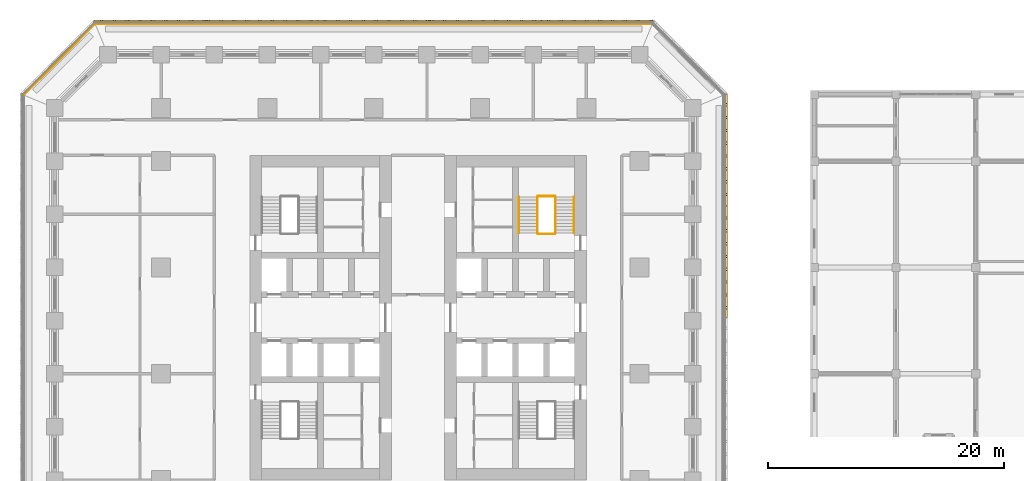
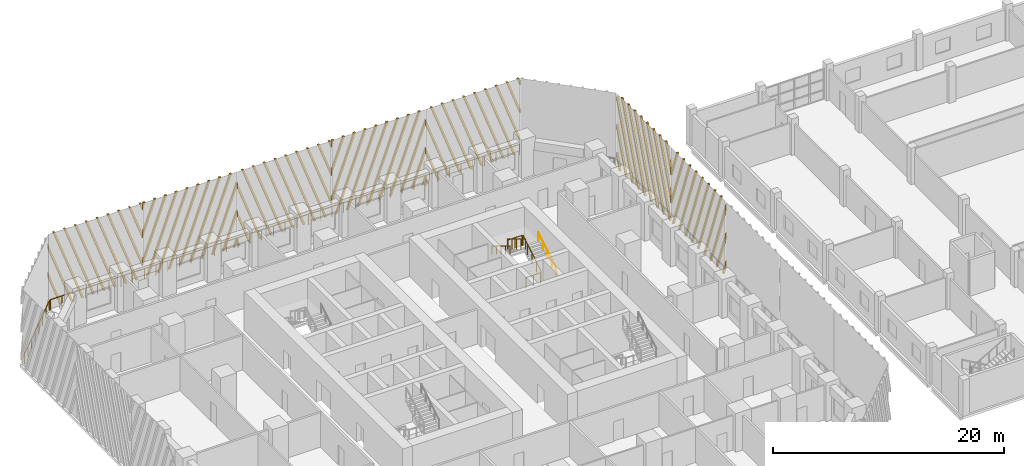
# One storey, part 24 of 31: 8 railings, 7 shading devices.
"""IFC4 building model written with IfcOpenShell, lengths in metres."""

from ifc_helpers import new_model, si_unit, direction, frame, origin, origin_2d, place, context, subcontext, project, spatial, polyline, circle, outline, extrude, source, transform, mapped, material, type_object, element, save


model = new_model("IFC4")

# Units and contexts
model_context = context("Model", 3, precision=1e-05, world=origin(), true_north=direction((0.0, 1.0)))
body_context = subcontext(model_context, "Body", "Model", "MODEL_VIEW")
ifc_project = project(units=[si_unit("LENGTHUNIT", "METRE"), si_unit("AREAUNIT", "SQUARE_METRE"), si_unit("VOLUMEUNIT", "CUBIC_METRE"), si_unit("PLANEANGLEUNIT", "RADIAN"), si_unit("MASSUNIT", "GRAM", prefix="KILO")], contexts=[model_context])

# Site, building, storey
site_placement = place(None, origin())
site = spatial("IfcSite", under=ifc_project, at=site_placement, CompositionType="ELEMENT")
building_placement = place(site_placement, origin())
building = spatial("IfcBuilding", under=site, at=building_placement, Name="Corbel Stack Research Tower", CompositionType="ELEMENT")
storey_placement = place(building_placement, frame((0.0, 0.0, 15.39990234375)))
storey = spatial("IfcBuildingStorey", under=building, at=storey_placement, Name="L03", CompositionType="ELEMENT", Elevation=15.39990234375)

# Railings
ifc_material_1 = material(Name="Steel S355", Category="steel")
railing_type_1 = type_object("IfcRailingType", Name="Stair guard 1100", PredefinedType="GUARDRAIL", material=ifc_material_1)
railing_1_placement = place(storey_placement, frame((15.39990234375, 11.89990234375, 0.1708984375)))
element("IfcRailing", 1, at=railing_1_placement, inside=storey, type_object=railing_type_1, Name="L03 ST-E2 stair guard 1", PredefinedType="GUARDRAIL", context=body_context, shape_type="SweptSolid", body=[
    extrude(circle(Radius=0.02392578125, at=origin_2d()), frame((0.0, 0.0, 1.076171875), z_axis=(0.0, 0.853666305674, 0.52082035152), x_axis=(-1.0, 0.0, 0.0)), (0.0, 0.0, 1.0), 3.608154296875),
    extrude(circle(Radius=0.02099609375, at=origin_2d()), origin(), (0.0, 0.0, 1.0), 1.052001953125),
    extrude(circle(Radius=0.02099609375, at=origin_2d()), frame((0.0, 0.77001953125, 0.4697265625)), (0.0, 0.0, 1.0), 1.052001953125),
    extrude(circle(Radius=0.02099609375, at=origin_2d()), frame((0.0, 1.5400390625, 0.939453125)), (0.0, 0.0, 1.0), 1.052001953125),
    extrude(circle(Radius=0.02099609375, at=origin_2d()), frame((0.0, 2.31005859375, 1.409423828125)), (0.0, 0.0, 1.0), 1.052001953125),
    extrude(circle(Radius=0.02099609375, at=origin_2d()), frame((0.0, 3.080078125, 1.879150390625)), (0.0, 0.0, 1.0), 1.052001953125),
])
railing_2_placement = place(storey_placement, frame((15.35009765625, 15.030029296875, 2.050048828125)))
element("IfcRailing", 2, at=railing_2_placement, inside=storey, type_object=railing_type_1, Name="L03 ST-E2 stair guard 2", PredefinedType="GUARDRAIL", context=body_context, shape_type="SweptSolid", body=[
    extrude(circle(Radius=0.02392578125, at=origin_2d()), frame((0.0, 0.0, 1.076171875), z_axis=(-1.0, 0.0, 0.0), x_axis=(0.0, -1.0, 0.0)), (0.0, 0.0, 1.0), 1.4501953125),
    extrude(circle(Radius=0.02099609375, at=origin_2d()), origin(), (0.0, 0.0, 1.0), 1.052001953125),
    extrude(circle(Radius=0.02099609375, at=origin_2d()), frame((-0.72509765625, 0.0, 0.0)), (0.0, 0.0, 1.0), 1.052001953125),
    extrude(circle(Radius=0.02099609375, at=origin_2d()), frame((-1.4501953125, 0.0, 0.0)), (0.0, 0.0, 1.0), 1.052001953125),
])
railing_3_placement = place(storey_placement, frame((13.85009765625, 14.97998046875, 2.220947265625)))
element("IfcRailing", 3, at=railing_3_placement, inside=storey, type_object=railing_type_1, Name="L03 ST-E2 stair guard 3", PredefinedType="GUARDRAIL", context=body_context, shape_type="SweptSolid", body=[
    extrude(circle(Radius=0.02392578125, at=origin_2d()), frame((0.0, 0.0, 1.076171875), z_axis=(0.0, -0.853666305674, 0.52082035152), x_axis=(1.0, 0.0, 0.0)), (0.0, 0.0, 1.0), 3.608154296875),
    extrude(circle(Radius=0.02099609375, at=origin_2d()), origin(), (0.0, 0.0, 1.0), 1.052001953125),
    extrude(circle(Radius=0.02099609375, at=origin_2d()), frame((0.0, -0.77001953125, 0.4697265625)), (0.0, 0.0, 1.0), 1.052001953125),
    extrude(circle(Radius=0.02099609375, at=origin_2d()), frame((0.0, -1.5400390625, 0.939453125)), (0.0, 0.0, 1.0), 1.052001953125),
    extrude(circle(Radius=0.02099609375, at=origin_2d()), frame((0.0, -2.31005859375, 1.409423828125)), (0.0, 0.0, 1.0), 1.052001953125),
    extrude(circle(Radius=0.02099609375, at=origin_2d()), frame((0.0, -3.080078125, 1.879150390625)), (0.0, 0.0, 1.0), 1.052001953125),
])
railing_4_placement = place(storey_placement, frame((15.35009765625, 11.85009765625, 0.0)))
element("IfcRailing", 4, at=railing_4_placement, inside=storey, type_object=railing_type_1, Name="L03 ST-E2 stair guard 4", PredefinedType="GUARDRAIL", context=body_context, shape_type="SweptSolid", body=[
    extrude(circle(Radius=0.02392578125, at=origin_2d()), frame((0.0, 0.0, 1.076171875), z_axis=(-1.0, 0.0, 0.0), x_axis=(0.0, -1.0, 0.0)), (0.0, 0.0, 1.0), 1.4501953125),
    extrude(circle(Radius=0.02099609375, at=origin_2d()), origin(), (0.0, 0.0, 1.0), 1.052001953125),
    extrude(circle(Radius=0.02099609375, at=origin_2d()), frame((-0.72509765625, 0.0, 0.0)), (0.0, 0.0, 1.0), 1.052001953125),
    extrude(circle(Radius=0.02099609375, at=origin_2d()), frame((-1.4501953125, 0.0, 0.0)), (0.0, 0.0, 1.0), 1.052001953125),
])
ifc_material_2 = material(Name="Steel S355", Category="steel")
railing_type_2 = type_object("IfcRailingType", Name="Stair handrail 900", PredefinedType="HANDRAIL", material=ifc_material_2)
railing_5_placement = place(storey_placement, frame((16.949951171875, 11.89990234375, 0.1708984375)))
element("IfcRailing", 5, at=railing_5_placement, inside=storey, type_object=railing_type_2, Name="L03 ST-E2 stair handrail 1", PredefinedType="HANDRAIL", context=body_context, shape_type="SweptSolid", body=[
    extrude(circle(Radius=0.02392578125, at=origin_2d()), frame((0.0, 0.0, 0.8759765625), z_axis=(0.0, 0.853666305674, 0.52082035152), x_axis=(-1.0, 0.0, 0.0)), (0.0, 0.0, 1.0), 3.608154296875),
    extrude(circle(Radius=0.02099609375, at=origin_2d()), origin(), (0.0, 0.0, 1.0), 0.851806640625),
    extrude(circle(Radius=0.02099609375, at=origin_2d()), frame((0.0, 0.77001953125, 0.4697265625)), (0.0, 0.0, 1.0), 0.851806640625),
    extrude(circle(Radius=0.02099609375, at=origin_2d()), frame((0.0, 1.5400390625, 0.939453125)), (0.0, 0.0, 1.0), 0.851806640625),
    extrude(circle(Radius=0.02099609375, at=origin_2d()), frame((0.0, 2.31005859375, 1.409423828125)), (0.0, 0.0, 1.0), 0.851806640625),
    extrude(circle(Radius=0.02099609375, at=origin_2d()), frame((0.0, 3.080078125, 1.879150390625)), (0.0, 0.0, 1.0), 0.851806640625),
])
railing_6_placement = place(storey_placement, frame((12.300048828125, 14.97998046875, 2.220947265625)))
element("IfcRailing", 6, at=railing_6_placement, inside=storey, type_object=railing_type_2, Name="L03 ST-E2 stair handrail 2", PredefinedType="HANDRAIL", context=body_context, shape_type="SweptSolid", body=[
    extrude(circle(Radius=0.02392578125, at=origin_2d()), frame((0.0, 0.0, 0.8759765625), z_axis=(0.0, -0.853666305674, 0.52082035152), x_axis=(1.0, 0.0, 0.0)), (0.0, 0.0, 1.0), 3.608154296875),
    extrude(circle(Radius=0.02099609375, at=origin_2d()), origin(), (0.0, 0.0, 1.0), 0.851806640625),
    extrude(circle(Radius=0.02099609375, at=origin_2d()), frame((0.0, -0.77001953125, 0.4697265625)), (0.0, 0.0, 1.0), 0.851806640625),
    extrude(circle(Radius=0.02099609375, at=origin_2d()), frame((0.0, -1.5400390625, 0.939453125)), (0.0, 0.0, 1.0), 0.851806640625),
    extrude(circle(Radius=0.02099609375, at=origin_2d()), frame((0.0, -2.31005859375, 1.409423828125)), (0.0, 0.0, 1.0), 0.851806640625),
    extrude(circle(Radius=0.02099609375, at=origin_2d()), frame((0.0, -3.080078125, 1.879150390625)), (0.0, 0.0, 1.0), 0.851806640625),
])
ifc_material_3 = material(Name="Powder-coated steel guard", Category="steel")
railing_type_3 = type_object("IfcRailingType", Name="Steel and glass guard 1100", PredefinedType="GUARDRAIL", material=ifc_material_3)
railing_7_placement = place(storey_placement, frame((23.50537109375, 29.60009765625, 0.0)))
element("IfcRailing", 7, at=railing_7_placement, inside=storey, type_object=railing_type_3, Name="Loggia guard L03 N", PredefinedType="GUARDRAIL", context=body_context, shape_type="SweptSolid", body=[
    extrude(circle(Radius=0.02392578125, at=origin_2d()), frame((0.0, 0.0, 1.076171875), z_axis=(-1.0, 0.0, 0.0), x_axis=(0.0, -1.0, 0.0)), (0.0, 0.0, 1.0), 47.0107421875),
    extrude(circle(Radius=0.02099609375, at=origin_2d()), origin(), (0.0, 0.0, 1.0), 1.052001953125),
    extrude(circle(Radius=0.02099609375, at=origin_2d()), frame((-1.17529296875, 0.0, 0.0)), (0.0, 0.0, 1.0), 1.052001953125),
    extrude(circle(Radius=0.02099609375, at=origin_2d()), frame((-2.3505859375, 0.0, 0.0)), (0.0, 0.0, 1.0), 1.052001953125),
    extrude(circle(Radius=0.02099609375, at=origin_2d()), frame((-3.52587890625, 0.0, 0.0)), (0.0, 0.0, 1.0), 1.052001953125),
    extrude(circle(Radius=0.02099609375, at=origin_2d()), frame((-4.701171875, 0.0, 0.0)), (0.0, 0.0, 1.0), 1.052001953125),
    extrude(circle(Radius=0.02099609375, at=origin_2d()), frame((-5.87646484375, 0.0, 0.0)), (0.0, 0.0, 1.0), 1.052001953125),
    extrude(circle(Radius=0.02099609375, at=origin_2d()), frame((-7.051513671875, 0.0, 0.0)), (0.0, 0.0, 1.0), 1.052001953125),
    extrude(circle(Radius=0.02099609375, at=origin_2d()), frame((-8.226806640625, 0.0, 0.0)), (0.0, 0.0, 1.0), 1.052001953125),
    extrude(circle(Radius=0.02099609375, at=origin_2d()), frame((-9.402099609375, 0.0, 0.0)), (0.0, 0.0, 1.0), 1.052001953125),
    extrude(circle(Radius=0.02099609375, at=origin_2d()), frame((-10.577392578125, 0.0, 0.0)), (0.0, 0.0, 1.0), 1.052001953125),
    extrude(circle(Radius=0.02099609375, at=origin_2d()), frame((-11.752685546875, 0.0, 0.0)), (0.0, 0.0, 1.0), 1.052001953125),
    extrude(circle(Radius=0.02099609375, at=origin_2d()), frame((-12.927978515625, 0.0, 0.0)), (0.0, 0.0, 1.0), 1.052001953125),
    extrude(circle(Radius=0.02099609375, at=origin_2d()), frame((-14.103271484375, 0.0, 0.0)), (0.0, 0.0, 1.0), 1.052001953125),
    extrude(circle(Radius=0.02099609375, at=origin_2d()), frame((-15.278564453125, 0.0, 0.0)), (0.0, 0.0, 1.0), 1.052001953125),
    extrude(circle(Radius=0.02099609375, at=origin_2d()), frame((-16.453857421875, 0.0, 0.0)), (0.0, 0.0, 1.0), 1.052001953125),
    extrude(circle(Radius=0.02099609375, at=origin_2d()), frame((-17.62890625, 0.0, 0.0)), (0.0, 0.0, 1.0), 1.052001953125),
    extrude(circle(Radius=0.02099609375, at=origin_2d()), frame((-18.80419921875, 0.0, 0.0)), (0.0, 0.0, 1.0), 1.052001953125),
    extrude(circle(Radius=0.02099609375, at=origin_2d()), frame((-19.9794921875, 0.0, 0.0)), (0.0, 0.0, 1.0), 1.052001953125),
    extrude(circle(Radius=0.02099609375, at=origin_2d()), frame((-21.15478515625, 0.0, 0.0)), (0.0, 0.0, 1.0), 1.052001953125),
    extrude(circle(Radius=0.02099609375, at=origin_2d()), frame((-22.330078125, 0.0, 0.0)), (0.0, 0.0, 1.0), 1.052001953125),
    extrude(circle(Radius=0.02099609375, at=origin_2d()), frame((-23.50537109375, 0.0, 0.0)), (0.0, 0.0, 1.0), 1.052001953125),
    extrude(circle(Radius=0.02099609375, at=origin_2d()), frame((-24.6806640625, 0.0, 0.0)), (0.0, 0.0, 1.0), 1.052001953125),
    extrude(circle(Radius=0.02099609375, at=origin_2d()), frame((-25.85595703125, 0.0, 0.0)), (0.0, 0.0, 1.0), 1.052001953125),
    extrude(circle(Radius=0.02099609375, at=origin_2d()), frame((-27.03125, 0.0, 0.0)), (0.0, 0.0, 1.0), 1.052001953125),
    extrude(circle(Radius=0.02099609375, at=origin_2d()), frame((-28.20654296875, 0.0, 0.0)), (0.0, 0.0, 1.0), 1.052001953125),
    extrude(circle(Radius=0.02099609375, at=origin_2d()), frame((-29.3818359375, 0.0, 0.0)), (0.0, 0.0, 1.0), 1.052001953125),
    extrude(circle(Radius=0.02099609375, at=origin_2d()), frame((-30.556884765625, 0.0, 0.0)), (0.0, 0.0, 1.0), 1.052001953125),
    extrude(circle(Radius=0.02099609375, at=origin_2d()), frame((-31.732177734375, 0.0, 0.0)), (0.0, 0.0, 1.0), 1.052001953125),
    extrude(circle(Radius=0.02099609375, at=origin_2d()), frame((-32.907470703125, 0.0, 0.0)), (0.0, 0.0, 1.0), 1.052001953125),
    extrude(circle(Radius=0.02099609375, at=origin_2d()), frame((-34.082763671875, 0.0, 0.0)), (0.0, 0.0, 1.0), 1.052001953125),
    extrude(circle(Radius=0.02099609375, at=origin_2d()), frame((-35.258056640625, 0.0, 0.0)), (0.0, 0.0, 1.0), 1.052001953125),
    extrude(circle(Radius=0.02099609375, at=origin_2d()), frame((-36.433349609375, 0.0, 0.0)), (0.0, 0.0, 1.0), 1.052001953125),
    extrude(circle(Radius=0.02099609375, at=origin_2d()), frame((-37.608642578125, 0.0, 0.0)), (0.0, 0.0, 1.0), 1.052001953125),
    extrude(circle(Radius=0.02099609375, at=origin_2d()), frame((-38.783935546875, 0.0, 0.0)), (0.0, 0.0, 1.0), 1.052001953125),
    extrude(circle(Radius=0.02099609375, at=origin_2d()), frame((-39.959228515625, 0.0, 0.0)), (0.0, 0.0, 1.0), 1.052001953125),
    extrude(circle(Radius=0.02099609375, at=origin_2d()), frame((-41.13427734375, 0.0, 0.0)), (0.0, 0.0, 1.0), 1.052001953125),
    extrude(circle(Radius=0.02099609375, at=origin_2d()), frame((-42.3095703125, 0.0, 0.0)), (0.0, 0.0, 1.0), 1.052001953125),
    extrude(circle(Radius=0.02099609375, at=origin_2d()), frame((-43.48486328125, 0.0, 0.0)), (0.0, 0.0, 1.0), 1.052001953125),
    extrude(circle(Radius=0.02099609375, at=origin_2d()), frame((-44.66015625, 0.0, 0.0)), (0.0, 0.0, 1.0), 1.052001953125),
    extrude(circle(Radius=0.02099609375, at=origin_2d()), frame((-45.83544921875, 0.0, 0.0)), (0.0, 0.0, 1.0), 1.052001953125),
    extrude(circle(Radius=0.02099609375, at=origin_2d()), frame((-47.0107421875, 0.0, 0.0)), (0.0, 0.0, 1.0), 1.052001953125),
])
railing_8_placement = place(storey_placement, frame((-23.627685546875, 29.54931640625, 0.0)))
element("IfcRailing", 8, at=railing_8_placement, inside=storey, type_object=railing_type_3, Name="Loggia guard L03 NW", PredefinedType="GUARDRAIL", context=body_context, shape_type="SweptSolid", body=[
    extrude(circle(Radius=0.02392578125, at=origin_2d()), frame((0.0, 0.0, 1.076171875), z_axis=(-0.707106781187, -0.707106781187, 0.0), x_axis=(0.707106781187, -0.707106781187, 0.0)), (0.0, 0.0, 1.0), 8.37451171875),
    extrude(circle(Radius=0.02099609375, at=origin_2d()), origin(), (0.0, 0.0, 1.0), 1.052001953125),
    extrude(circle(Radius=0.02099609375, at=origin_2d()), frame((-0.845947265625, -0.845947265625, 0.0)), (0.0, 0.0, 1.0), 1.052001953125),
    extrude(circle(Radius=0.02099609375, at=origin_2d()), frame((-1.69189453125, -1.69189453125, 0.0)), (0.0, 0.0, 1.0), 1.052001953125),
    extrude(circle(Radius=0.02099609375, at=origin_2d()), frame((-2.537841796875, -2.537841796875, 0.0)), (0.0, 0.0, 1.0), 1.052001953125),
    extrude(circle(Radius=0.02099609375, at=origin_2d()), frame((-3.3837890625, -3.3837890625, 0.0)), (0.0, 0.0, 1.0), 1.052001953125),
    extrude(circle(Radius=0.02099609375, at=origin_2d()), frame((-4.229736328125, -4.229736328125, 0.0)), (0.0, 0.0, 1.0), 1.052001953125),
    extrude(circle(Radius=0.02099609375, at=origin_2d()), frame((-5.07568359375, -5.07568359375, 0.0)), (0.0, 0.0, 1.0), 1.052001953125),
    extrude(circle(Radius=0.02099609375, at=origin_2d()), frame((-5.921630859375, -5.921630859375, 0.0)), (0.0, 0.0, 1.0), 1.052001953125),
])

# Shading devices
ifc_material_4 = material(Name="Precast terracotta", Category="masonry")
shading_device_type = type_object("IfcShadingDeviceType", Name="Terracotta screen panel", PredefinedType="USERDEFINED", material=ifc_material_4)
shared_shape_1 = source(origin(), body_context, "Body", "SweptSolid", [
    extrude(outline(polyline([(1.09033203125, 7.949951171875), (0.900390625, 7.949951171875), (0.0, 5.476318359375), (0.0, 4.9541015625), (1.09033203125, 7.949951171875)])), frame((0.0, 0.0, 0.0), z_axis=(0.0, -1.0, 0.0), x_axis=(1.0, 0.0, 0.0)), (0.0, 0.0, 1.0), 0.179931640625),
    extrude(outline(polyline([(2.175048828125, 7.949951171875), (1.985107421875, 7.949951171875), (0.0, 2.49609375), (0.0, 1.97412109375), (2.175048828125, 7.949951171875)])), frame((0.0, 0.0, 0.0), z_axis=(0.0, -1.0, 0.0), x_axis=(1.0, 0.0, 0.0)), (0.0, 0.0, 1.0), 0.179931640625),
    extrude(outline(polyline([(0.3662109375, 0.0), (3.259765625, 7.949951171875), (3.069580078125, 7.949951171875), (0.17626953125, 0.0), (0.3662109375, 0.0)])), frame((0.0, 0.0, 0.0), z_axis=(0.0, -1.0, 0.0), x_axis=(1.0, 0.0, 0.0)), (0.0, 0.0, 1.0), 0.179931640625),
    extrude(outline(polyline([(1.45068359375, 0.0), (4.344482421875, 7.949951171875), (4.154296875, 7.949951171875), (1.2607421875, 0.0), (1.45068359375, 0.0)])), frame((0.0, 0.0, 0.0), z_axis=(0.0, -1.0, 0.0), x_axis=(1.0, 0.0, 0.0)), (0.0, 0.0, 1.0), 0.179931640625),
    extrude(outline(polyline([(2.535400390625, 0.0), (5.42919921875, 7.949951171875), (5.239013671875, 7.949951171875), (2.345458984375, 0.0), (2.535400390625, 0.0)])), frame((0.0, 0.0, 0.0), z_axis=(0.0, -1.0, 0.0), x_axis=(1.0, 0.0, 0.0)), (0.0, 0.0, 1.0), 0.179931640625),
    extrude(outline(polyline([(3.6201171875, 0.0), (6.513671875, 7.949951171875), (6.32373046875, 7.949951171875), (3.43017578125, 0.0), (3.6201171875, 0.0)])), frame((0.0, 0.0, 0.0), z_axis=(0.0, -1.0, 0.0), x_axis=(1.0, 0.0, 0.0)), (0.0, 0.0, 1.0), 0.179931640625),
    extrude(outline(polyline([(4.704833984375, 0.0), (7.598388671875, 7.949951171875), (7.408447265625, 7.949951171875), (4.514892578125, 0.0), (4.704833984375, 0.0)])), frame((0.0, 0.0, 0.0), z_axis=(0.0, -1.0, 0.0), x_axis=(1.0, 0.0, 0.0)), (0.0, 0.0, 1.0), 0.179931640625),
    extrude(outline(polyline([(5.78955078125, 0.0), (8.68310546875, 7.949951171875), (8.4931640625, 7.949951171875), (5.599609375, 0.0), (5.78955078125, 0.0)])), frame((0.0, 0.0, 0.0), z_axis=(0.0, -1.0, 0.0), x_axis=(1.0, 0.0, 0.0)), (0.0, 0.0, 1.0), 0.179931640625),
    extrude(outline(polyline([(6.874267578125, 0.0), (9.45556640625, 7.092529296875), (9.45556640625, 7.614501953125), (6.68408203125, 0.0), (6.874267578125, 0.0)])), frame((0.0, 0.0, 0.0), z_axis=(0.0, -1.0, 0.0), x_axis=(1.0, 0.0, 0.0)), (0.0, 0.0, 1.0), 0.179931640625),
    extrude(outline(polyline([(7.958740234375, 0.0), (9.45556640625, 4.1123046875), (9.45556640625, 4.634521484375), (7.768798828125, 0.0), (7.958740234375, 0.0)])), frame((0.0, 0.0, 0.0), z_axis=(0.0, -1.0, 0.0), x_axis=(1.0, 0.0, 0.0)), (0.0, 0.0, 1.0), 0.179931640625),
    extrude(outline(polyline([(9.04345703125, 0.0), (9.45556640625, 1.13232421875), (9.45556640625, 1.654296875), (8.853515625, 0.0), (9.04345703125, 0.0)])), frame((0.0, 0.0, 0.0), z_axis=(0.0, -1.0, 0.0), x_axis=(1.0, 0.0, 0.0)), (0.0, 0.0, 1.0), 0.179931640625),
])
shading_device_1_placement = place(storey_placement, frame((29.75, 14.18359375, 0.0), z_axis=(0.0, 0.0, 1.0), x_axis=(0.0, 1.0, 0.0)))
element("IfcShadingDevice", 9, at=shading_device_1_placement, inside=storey, type_object=shading_device_type, Name="Terracotta screen L03 E5", ObjectType="SCREEN", PredefinedType="USERDEFINED", context=body_context, shape_type="MappedRepresentation", body=[
    mapped(shared_shape_1, transform((0.0, 0.0, 0.0))),
])
shared_shape_2 = source(origin(), body_context, "Body", "SweptSolid", [
    extrude(outline(polyline([(0.60205078125, 0.0), (0.0, 1.654296875), (0.0, 1.13232421875), (0.412109375, 0.0), (0.60205078125, 0.0)])), frame((0.0, 0.0, 0.0), z_axis=(0.0, -1.0, 0.0), x_axis=(1.0, 0.0, 0.0)), (0.0, 0.0, 1.0), 0.179931640625),
    extrude(outline(polyline([(1.686767578125, 0.0), (0.0, 4.634521484375), (0.0, 4.1123046875), (1.496826171875, 0.0), (1.686767578125, 0.0)])), frame((0.0, 0.0, 0.0), z_axis=(0.0, -1.0, 0.0), x_axis=(1.0, 0.0, 0.0)), (0.0, 0.0, 1.0), 0.179931640625),
    extrude(outline(polyline([(2.771484375, 0.0), (0.0, 7.614501953125), (0.0, 7.092529296875), (2.58154296875, 0.0), (2.771484375, 0.0)])), frame((0.0, 0.0, 0.0), z_axis=(0.0, -1.0, 0.0), x_axis=(1.0, 0.0, 0.0)), (0.0, 0.0, 1.0), 0.179931640625),
    extrude(outline(polyline([(3.856201171875, 0.0), (0.962646484375, 7.949951171875), (0.772705078125, 7.949951171875), (3.666015625, 0.0), (3.856201171875, 0.0)])), frame((0.0, 0.0, 0.0), z_axis=(0.0, -1.0, 0.0), x_axis=(1.0, 0.0, 0.0)), (0.0, 0.0, 1.0), 0.179931640625),
    extrude(outline(polyline([(4.94091796875, 0.0), (2.047119140625, 7.949951171875), (1.857177734375, 7.949951171875), (4.750732421875, 0.0), (4.94091796875, 0.0)])), frame((0.0, 0.0, 0.0), z_axis=(0.0, -1.0, 0.0), x_axis=(1.0, 0.0, 0.0)), (0.0, 0.0, 1.0), 0.179931640625),
    extrude(outline(polyline([(6.025390625, 0.0), (3.1318359375, 7.949951171875), (2.94189453125, 7.949951171875), (5.83544921875, 0.0), (6.025390625, 0.0)])), frame((0.0, 0.0, 0.0), z_axis=(0.0, -1.0, 0.0), x_axis=(1.0, 0.0, 0.0)), (0.0, 0.0, 1.0), 0.179931640625),
    extrude(outline(polyline([(7.110107421875, 0.0), (4.216552734375, 7.949951171875), (4.026611328125, 7.949951171875), (6.920166015625, 0.0), (7.110107421875, 0.0)])), frame((0.0, 0.0, 0.0), z_axis=(0.0, -1.0, 0.0), x_axis=(1.0, 0.0, 0.0)), (0.0, 0.0, 1.0), 0.179931640625),
    extrude(outline(polyline([(8.19482421875, 0.0), (5.30126953125, 7.949951171875), (5.111083984375, 7.949951171875), (8.0048828125, 0.0), (8.19482421875, 0.0)])), frame((0.0, 0.0, 0.0), z_axis=(0.0, -1.0, 0.0), x_axis=(1.0, 0.0, 0.0)), (0.0, 0.0, 1.0), 0.179931640625),
    extrude(outline(polyline([(9.279541015625, 0.0), (6.385986328125, 7.949951171875), (6.19580078125, 7.949951171875), (9.089599609375, 0.0), (9.279541015625, 0.0)])), frame((0.0, 0.0, 0.0), z_axis=(0.0, -1.0, 0.0), x_axis=(1.0, 0.0, 0.0)), (0.0, 0.0, 1.0), 0.179931640625),
    extrude(outline(polyline([(7.470703125, 7.949951171875), (7.280517578125, 7.949951171875), (9.45556640625, 1.97412109375), (9.45556640625, 2.49609375), (7.470703125, 7.949951171875)])), frame((0.0, 0.0, 0.0), z_axis=(0.0, -1.0, 0.0), x_axis=(1.0, 0.0, 0.0)), (0.0, 0.0, 1.0), 0.179931640625),
    extrude(outline(polyline([(8.55517578125, 7.949951171875), (8.365234375, 7.949951171875), (9.45556640625, 4.9541015625), (9.45556640625, 5.476318359375), (8.55517578125, 7.949951171875)])), frame((0.0, 0.0, 0.0), z_axis=(0.0, -1.0, 0.0), x_axis=(1.0, 0.0, 0.0)), (0.0, 0.0, 1.0), 0.179931640625),
])
shading_device_2_placement = place(storey_placement, frame((29.75, 4.727783203125, 0.0), z_axis=(0.0, 0.0, 1.0), x_axis=(0.0, 1.0, 0.0)))
element("IfcShadingDevice", 10, at=shading_device_2_placement, inside=storey, type_object=shading_device_type, Name="Terracotta screen L03 E4", ObjectType="SCREEN", PredefinedType="USERDEFINED", context=body_context, shape_type="MappedRepresentation", body=[
    mapped(shared_shape_2, transform((0.0, 0.0, 0.0))),
])
shared_shape_3 = source(origin(), body_context, "Body", "SweptSolid", [
    extrude(outline(polyline([(0.27685546875, 7.949951171875), (0.0869140625, 7.949951171875), (0.0, 7.711181640625), (0.0, 7.189208984375), (0.27685546875, 7.949951171875)])), frame((0.0, 0.0, 0.0), z_axis=(0.0, -1.0, 0.0), x_axis=(1.0, 0.0, 0.0)), (0.0, 0.0, 1.0), 0.179931640625),
    extrude(outline(polyline([(1.361572265625, 7.949951171875), (1.171630859375, 7.949951171875), (0.0, 4.731201171875), (0.0, 4.208984375), (1.361572265625, 7.949951171875)])), frame((0.0, 0.0, 0.0), z_axis=(0.0, -1.0, 0.0), x_axis=(1.0, 0.0, 0.0)), (0.0, 0.0, 1.0), 0.179931640625),
    extrude(outline(polyline([(2.4462890625, 7.949951171875), (2.256103515625, 7.949951171875), (0.0, 1.751220703125), (0.0, 1.22900390625), (2.4462890625, 7.949951171875)])), frame((0.0, 0.0, 0.0), z_axis=(0.0, -1.0, 0.0), x_axis=(1.0, 0.0, 0.0)), (0.0, 0.0, 1.0), 0.179931640625),
    extrude(outline(polyline([(0.63720703125, 0.0), (3.531005859375, 7.949951171875), (3.3408203125, 7.949951171875), (0.447265625, 0.0), (0.63720703125, 0.0)])), frame((0.0, 0.0, 0.0), z_axis=(0.0, -1.0, 0.0), x_axis=(1.0, 0.0, 0.0)), (0.0, 0.0, 1.0), 0.179931640625),
    extrude(outline(polyline([(1.721923828125, 0.0), (4.615478515625, 7.949951171875), (4.425537109375, 7.949951171875), (1.531982421875, 0.0), (1.721923828125, 0.0)])), frame((0.0, 0.0, 0.0), z_axis=(0.0, -1.0, 0.0), x_axis=(1.0, 0.0, 0.0)), (0.0, 0.0, 1.0), 0.179931640625),
    extrude(outline(polyline([(2.806640625, 0.0), (5.7001953125, 7.949951171875), (5.51025390625, 7.949951171875), (2.61669921875, 0.0), (2.806640625, 0.0)])), frame((0.0, 0.0, 0.0), z_axis=(0.0, -1.0, 0.0), x_axis=(1.0, 0.0, 0.0)), (0.0, 0.0, 1.0), 0.179931640625),
    extrude(outline(polyline([(3.891357421875, 0.0), (6.784912109375, 7.949951171875), (6.594970703125, 7.949951171875), (3.701416015625, 0.0), (3.891357421875, 0.0)])), frame((0.0, 0.0, 0.0), z_axis=(0.0, -1.0, 0.0), x_axis=(1.0, 0.0, 0.0)), (0.0, 0.0, 1.0), 0.179931640625),
    extrude(outline(polyline([(4.97607421875, 0.0), (7.86962890625, 7.949951171875), (7.6796875, 7.949951171875), (4.785888671875, 0.0), (4.97607421875, 0.0)])), frame((0.0, 0.0, 0.0), z_axis=(0.0, -1.0, 0.0), x_axis=(1.0, 0.0, 0.0)), (0.0, 0.0, 1.0), 0.179931640625),
    extrude(outline(polyline([(6.060791015625, 0.0), (8.9541015625, 7.949951171875), (8.76416015625, 7.949951171875), (5.87060546875, 0.0), (6.060791015625, 0.0)])), frame((0.0, 0.0, 0.0), z_axis=(0.0, -1.0, 0.0), x_axis=(1.0, 0.0, 0.0)), (0.0, 0.0, 1.0), 0.179931640625),
    extrude(outline(polyline([(7.145263671875, 0.0), (9.45556640625, 6.347412109375), (9.45556640625, 6.869384765625), (6.955322265625, 0.0), (7.145263671875, 0.0)])), frame((0.0, 0.0, 0.0), z_axis=(0.0, -1.0, 0.0), x_axis=(1.0, 0.0, 0.0)), (0.0, 0.0, 1.0), 0.179931640625),
    extrude(outline(polyline([(8.22998046875, 0.0), (9.45556640625, 3.367431640625), (9.45556640625, 3.889404296875), (8.0400390625, 0.0), (8.22998046875, 0.0)])), frame((0.0, 0.0, 0.0), z_axis=(0.0, -1.0, 0.0), x_axis=(1.0, 0.0, 0.0)), (0.0, 0.0, 1.0), 0.179931640625),
    extrude(outline(polyline([(9.314697265625, 0.0), (9.45556640625, 0.38720703125), (9.45556640625, 0.9091796875), (9.124755859375, 0.0), (9.314697265625, 0.0)])), frame((0.0, 0.0, 0.0), z_axis=(0.0, -1.0, 0.0), x_axis=(1.0, 0.0, 0.0)), (0.0, 0.0, 1.0), 0.179931640625),
])
for number, where, z_axis, x_axis, name in (
    (11, (23.63916015625, 29.75, 0.0), (0.0, 0.0, 1.0), (-1.0, 0.0, 0.0), "Terracotta screen L03 N1"),
    (12, (4.727783203125, 29.75, 0.0), (0.0, 0.0, 1.0), (-1.0, 0.0, 0.0), "Terracotta screen L03 N3"),
    (13, (-14.18359375, 29.75, 0.0), (0.0, 0.0, 1.0), (-1.0, 0.0, 0.0), "Terracotta screen L03 N5"),
):
    element("IfcShadingDevice", number, at=place(storey_placement, frame(where, z_axis=z_axis, x_axis=x_axis)), inside=storey, type_object=shading_device_type, Name=name, ObjectType="SCREEN", PredefinedType="USERDEFINED", context=body_context, shape_type="MappedRepresentation", body=[
        mapped(shared_shape_3, transform((0.0, 0.0, 0.0))),
    ])
shared_shape_4 = source(origin(), body_context, "Body", "SweptSolid", [
    extrude(outline(polyline([(0.3310546875, 0.0), (0.0, 0.9091796875), (0.0, 0.38720703125), (0.14111328125, 0.0), (0.3310546875, 0.0)])), frame((0.0, 0.0, 0.0), z_axis=(0.0, -1.0, 0.0), x_axis=(1.0, 0.0, 0.0)), (0.0, 0.0, 1.0), 0.179931640625),
    extrude(outline(polyline([(1.41552734375, 0.0), (0.0, 3.889404296875), (0.0, 3.367431640625), (1.2255859375, 0.0), (1.41552734375, 0.0)])), frame((0.0, 0.0, 0.0), z_axis=(0.0, -1.0, 0.0), x_axis=(1.0, 0.0, 0.0)), (0.0, 0.0, 1.0), 0.179931640625),
    extrude(outline(polyline([(2.500244140625, 0.0), (0.0, 6.869384765625), (0.0, 6.347412109375), (2.310302734375, 0.0), (2.500244140625, 0.0)])), frame((0.0, 0.0, 0.0), z_axis=(0.0, -1.0, 0.0), x_axis=(1.0, 0.0, 0.0)), (0.0, 0.0, 1.0), 0.179931640625),
    extrude(outline(polyline([(3.5849609375, 0.0), (0.69140625, 7.949951171875), (0.50146484375, 7.949951171875), (3.39501953125, 0.0), (3.5849609375, 0.0)])), frame((0.0, 0.0, 0.0), z_axis=(0.0, -1.0, 0.0), x_axis=(1.0, 0.0, 0.0)), (0.0, 0.0, 1.0), 0.179931640625),
    extrude(outline(polyline([(4.669677734375, 0.0), (1.776123046875, 7.949951171875), (1.586181640625, 7.949951171875), (4.4794921875, 0.0), (4.669677734375, 0.0)])), frame((0.0, 0.0, 0.0), z_axis=(0.0, -1.0, 0.0), x_axis=(1.0, 0.0, 0.0)), (0.0, 0.0, 1.0), 0.179931640625),
    extrude(outline(polyline([(5.75439453125, 0.0), (2.860595703125, 7.949951171875), (2.670654296875, 7.949951171875), (5.564208984375, 0.0), (5.75439453125, 0.0)])), frame((0.0, 0.0, 0.0), z_axis=(0.0, -1.0, 0.0), x_axis=(1.0, 0.0, 0.0)), (0.0, 0.0, 1.0), 0.179931640625),
    extrude(outline(polyline([(6.839111328125, 0.0), (3.9453125, 7.949951171875), (3.75537109375, 7.949951171875), (6.64892578125, 0.0), (6.839111328125, 0.0)])), frame((0.0, 0.0, 0.0), z_axis=(0.0, -1.0, 0.0), x_axis=(1.0, 0.0, 0.0)), (0.0, 0.0, 1.0), 0.179931640625),
    extrude(outline(polyline([(7.923583984375, 0.0), (5.030029296875, 7.949951171875), (4.840087890625, 7.949951171875), (7.733642578125, 0.0), (7.923583984375, 0.0)])), frame((0.0, 0.0, 0.0), z_axis=(0.0, -1.0, 0.0), x_axis=(1.0, 0.0, 0.0)), (0.0, 0.0, 1.0), 0.179931640625),
    extrude(outline(polyline([(9.00830078125, 0.0), (6.11474609375, 7.949951171875), (5.9248046875, 7.949951171875), (8.818359375, 0.0), (9.00830078125, 0.0)])), frame((0.0, 0.0, 0.0), z_axis=(0.0, -1.0, 0.0), x_axis=(1.0, 0.0, 0.0)), (0.0, 0.0, 1.0), 0.179931640625),
    extrude(outline(polyline([(7.199462890625, 7.949951171875), (7.009521484375, 7.949951171875), (9.45556640625, 1.22900390625), (9.45556640625, 1.751220703125), (7.199462890625, 7.949951171875)])), frame((0.0, 0.0, 0.0), z_axis=(0.0, -1.0, 0.0), x_axis=(1.0, 0.0, 0.0)), (0.0, 0.0, 1.0), 0.179931640625),
    extrude(outline(polyline([(8.2841796875, 7.949951171875), (8.093994140625, 7.949951171875), (9.45556640625, 4.208984375), (9.45556640625, 4.731201171875), (8.2841796875, 7.949951171875)])), frame((0.0, 0.0, 0.0), z_axis=(0.0, -1.0, 0.0), x_axis=(1.0, 0.0, 0.0)), (0.0, 0.0, 1.0), 0.179931640625),
    extrude(outline(polyline([(9.36865234375, 7.949951171875), (9.1787109375, 7.949951171875), (9.45556640625, 7.189208984375), (9.45556640625, 7.711181640625), (9.36865234375, 7.949951171875)])), frame((0.0, 0.0, 0.0), z_axis=(0.0, -1.0, 0.0), x_axis=(1.0, 0.0, 0.0)), (0.0, 0.0, 1.0), 0.179931640625),
])
for number, where, z_axis, x_axis, name in (
    (14, (14.18359375, 29.75, 0.0), (0.0, 0.0, 1.0), (-1.0, 0.0, 0.0), "Terracotta screen L03 N2"),
    (15, (-4.727783203125, 29.75, 0.0), (0.0, 0.0, 1.0), (-1.0, 0.0, 0.0), "Terracotta screen L03 N4"),
):
    element("IfcShadingDevice", number, at=place(storey_placement, frame(where, z_axis=z_axis, x_axis=x_axis)), inside=storey, type_object=shading_device_type, Name=name, ObjectType="SCREEN", PredefinedType="USERDEFINED", context=body_context, shape_type="MappedRepresentation", body=[
        mapped(shared_shape_4, transform((0.0, 0.0, 0.0))),
    ])

save(model, "model.ifc")
